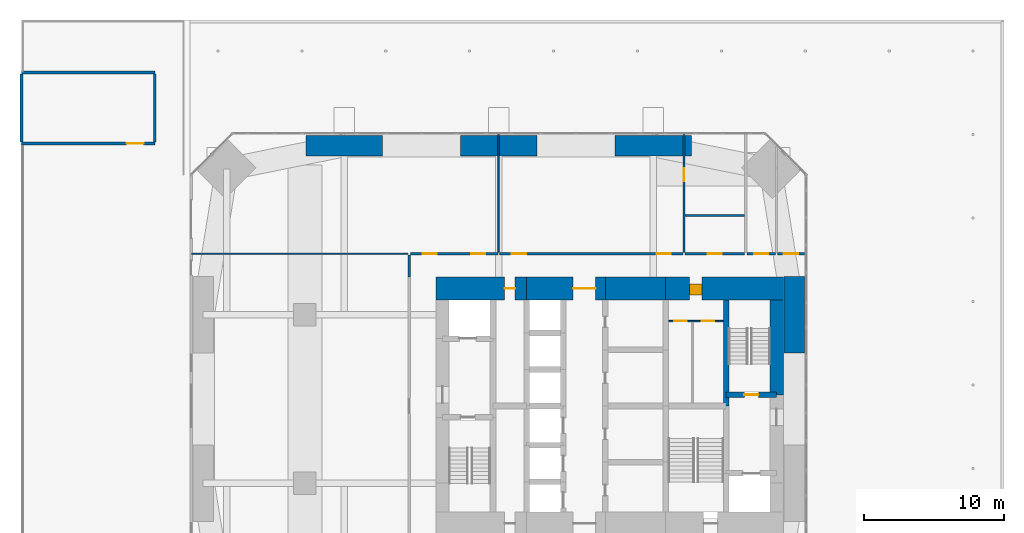
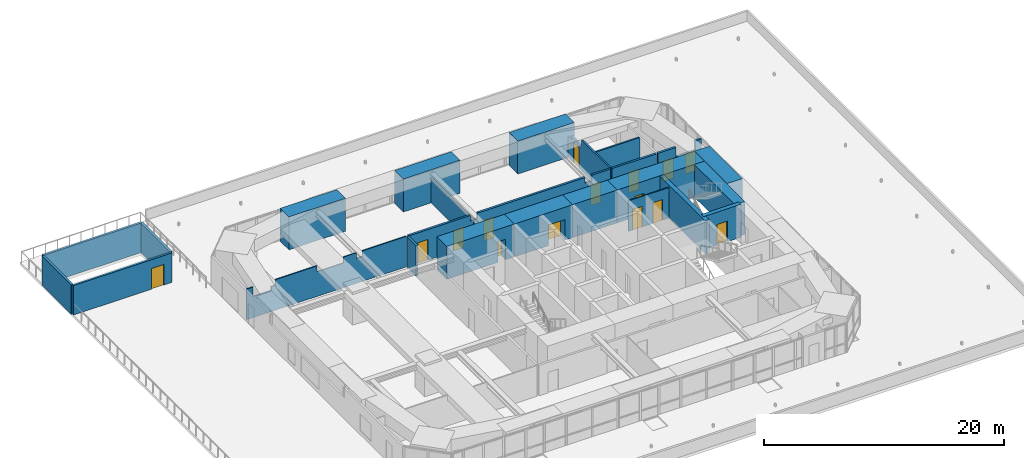
# One storey, part 15 of 20: 26 walls, 15 doors, 15 openings.
"""IFC4 building model written with IfcOpenShell, lengths in metres."""

import ifcopenshell
import ifcopenshell.guid

model = None  # the IFC model being written
_history = None  # IfcOwnerHistory: only IFC2X3 demands one
_inside = {}  # id of a spatial element -> (the spatial element, [elements in it])
_under = {}  # id of a project, library or spatial element -> (it, [spatial elements below it])
_declared = {}  # id of a project -> (the project, [libraries it declares])
_typed = {}  # id of a type object -> (the type object, [elements of that type])
_made_of = {}  # id of a material, layer set ... -> (it, [elements and type objects made of it])


def new_model(schema):
    """Start an empty IFC model of exactly this schema.

    Asked for "IFC4X3", IfcOpenShell would pick the latest addendum, in which some entities
    have other attributes; the version numbers below select the first issue.
    IFC2X3 requires an IfcOwnerHistory on every rooted entity: one is made here for all.
    """
    global model, _history
    if schema == "IFC4X3":
        model = ifcopenshell.file(schema_version=(4, 3, 0, 0))
    else:
        model = ifcopenshell.file(schema=schema)
    _inside.clear()
    _under.clear()
    _declared.clear()
    _typed.clear()
    _made_of.clear()
    _history = None
    if model.schema == "IFC2X3":
        org = make("IfcOrganization", Name="unknown")
        user = make(
            "IfcPersonAndOrganization",
            ThePerson=make("IfcPerson", FamilyName="unknown"),
            TheOrganization=org,
        )
        app = make(
            "IfcApplication",
            ApplicationDeveloper=org,
            Version="unknown",
            ApplicationFullName="unknown",
            ApplicationIdentifier="unknown",
        )
        _history = make(
            "IfcOwnerHistory",
            OwningUser=user,
            OwningApplication=app,
            ChangeAction="ADDED",
            CreationDate=0,
        )
    return model


def make(cls, **values):
    """One entity of the class cls with the attributes given. An attribute that is None is left unset."""
    return model.create_entity(
        cls, **{name: value for name, value in values.items() if value is not None}
    )


def rooted(cls, **values):
    """An entity with a GlobalId (a new one), such as an element, a storey or a relation."""
    return make(cls, GlobalId=ifcopenshell.guid.new(), OwnerHistory=_history, **values)


def si_unit(unit_type, name, prefix=None):
    """IfcSIUnit, for example si_unit("LENGTHUNIT", "METRE", prefix="MILLI")."""
    return make("IfcSIUnit", UnitType=unit_type, Prefix=prefix, Name=name)


def assignment(units):
    """IfcUnitAssignment: the units of a project."""
    return None if units is None else make("IfcUnitAssignment", Units=units)


def point(xyz):
    """IfcCartesianPoint."""
    return None if xyz is None else make("IfcCartesianPoint", Coordinates=xyz)


def direction(xyz):
    """IfcDirection."""
    return None if xyz is None else make("IfcDirection", DirectionRatios=xyz)


def frame(location, z_axis=None, x_axis=None):
    """IfcAxis2Placement3D, a coordinate frame: its origin and axes. An axis left out is left unset."""
    return make(
        "IfcAxis2Placement3D",
        Location=point(location),
        Axis=direction(z_axis),
        RefDirection=direction(x_axis),
    )


def frame_2d(location, x_axis=None):
    """IfcAxis2Placement2D, a coordinate frame in the plane: its origin and x axis."""
    return make(
        "IfcAxis2Placement2D", Location=point(location), RefDirection=direction(x_axis)
    )


def origin():
    """The frame at (0, 0, 0) with its axes left unset."""
    return frame((0.0, 0.0, 0.0))


def place(relative_to, where):
    """IfcLocalPlacement: puts the frame where relative to a parent placement (None: the world)."""
    return make(
        "IfcLocalPlacement", PlacementRelTo=relative_to, RelativePlacement=where
    )


def context(
    kind, dimensions, precision=None, world=None, true_north=None, identifier=None
):
    """IfcGeometricRepresentationContext, for example the 3D "Model" context."""
    return make(
        "IfcGeometricRepresentationContext",
        ContextIdentifier=identifier,
        ContextType=kind,
        CoordinateSpaceDimension=dimensions,
        Precision=precision,
        WorldCoordinateSystem=world,
        TrueNorth=true_north,
    )


def subcontext(parent, identifier, kind, view, scale=None):
    """IfcGeometricRepresentationSubContext, for example "Body" below "Model"."""
    return make(
        "IfcGeometricRepresentationSubContext",
        ContextIdentifier=identifier,
        ContextType=kind,
        ParentContext=parent,
        TargetScale=scale,
        TargetView=view,
    )


def project(units=None, contexts=None):
    """IfcProject with its units and contexts."""
    return rooted(
        "IfcProject",
        Name="project",
        RepresentationContexts=contexts,
        UnitsInContext=assignment(units),
    )


def spatial(cls, under=None, at=None, **own):
    """A site, building, storey or space (cls), placed at a placement, below another one or the project."""
    s = rooted(cls, ObjectPlacement=at, **own)
    if under is not None:
        _under.setdefault(under.id(), (under, []))[1].append(s)
    return s


def polyline(points):
    """IfcPolyline through the points."""
    return make("IfcPolyline", Points=[point(p) for p in points])


def profile(cls, at=None, kind="AREA", **sizes):
    """A parametric profile (cls). Its sizes go by their IFC names, for example OverallWidth=200.0."""
    return make(cls, ProfileType=kind, Position=at, **sizes)


def rectangle(**sizes):
    """IfcRectangleProfileDef."""
    return profile("IfcRectangleProfileDef", **sizes)


def outline(outer, holes=None, kind="AREA"):
    """IfcArbitraryClosedProfileDef: a profile drawn as a closed curve; with holes, ...WithVoids."""
    if holes is None:
        return make("IfcArbitraryClosedProfileDef", ProfileType=kind, OuterCurve=outer)
    return make(
        "IfcArbitraryProfileDefWithVoids",
        ProfileType=kind,
        OuterCurve=outer,
        InnerCurves=holes,
    )


def extrude(swept, where, along, depth):
    """IfcExtrudedAreaSolid: the profile swept, set in the frame where, extruded along a direction by depth."""
    return make(
        "IfcExtrudedAreaSolid",
        SweptArea=swept,
        Position=where,
        ExtrudedDirection=direction(along),
        Depth=depth,
    )


def shape(context_of_items, identifier, shape_type, items):
    """IfcShapeRepresentation: the items that make up one representation, for example the "Body"."""
    return make(
        "IfcShapeRepresentation",
        ContextOfItems=context_of_items,
        RepresentationIdentifier=identifier,
        RepresentationType=shape_type,
        Items=items,
    )


def material(Name=None, Category=None):
    """IfcMaterial."""
    return make("IfcMaterial", Name=Name, Category=Category)


def layer(
    of_material, thickness, ventilated=None, Name=None, Category=None, Priority=None
):
    """IfcMaterialLayer: one layer of a wall or slab, of a material (None: an air gap)."""
    return make(
        "IfcMaterialLayer",
        Material=of_material,
        LayerThickness=thickness,
        IsVentilated=ventilated,
        Name=Name,
        Category=Category,
        Priority=Priority,
    )


def layer_set(layers, Name=None):
    """IfcMaterialLayerSet."""
    return make("IfcMaterialLayerSet", MaterialLayers=layers, LayerSetName=Name)


def constituent(of_material, Name=None, Category=None, fraction=None):
    """IfcMaterialConstituent: one of the materials an element consists of."""
    return make(
        "IfcMaterialConstituent",
        Name=Name,
        Material=of_material,
        Fraction=fraction,
        Category=Category,
    )


def constituent_set(constituents=None, Name=None):
    """IfcMaterialConstituentSet."""
    return make(
        "IfcMaterialConstituentSet", Name=Name, MaterialConstituents=constituents
    )


def made_of(thing, what):
    """Note that an element or type object is made of a material, layer set ...; save() writes the relation."""
    if what is not None:
        _made_of.setdefault(what.id(), (what, []))[1].append(thing)
    return thing


def type_object(cls, material=None, **own):
    """A type object (cls), such as IfcWallType, which elements share."""
    return made_of(rooted(cls, **own), material)


def element(
    cls,
    number,
    at=None,
    inside=None,
    cuts=None,
    type_object=None,
    material=None,
    context=None,
    identifier="Body",
    shape_type=None,
    held_by="IfcProductDefinitionShape",
    body=None,
    shapes=None,
    **own,
):
    """One element of the class cls, such as IfcWall. Its Tag is "e" and its number.

    at: its placement. inside: the storey or other place that contains it. cuts: it is an
    opening in that element (IfcRelVoidsElement). A single representation is given by context,
    identifier, shape_type and body (its items); several are given by shapes. held_by: the class
    of the entity that holds the representations. save() writes the other relations.
    """
    e = rooted(cls, Tag="e%d" % number, ObjectPlacement=at, **own)
    if body is not None:
        shapes = [shape(context, identifier, shape_type, body)]
    if shapes is not None:
        e.Representation = make(held_by, Representations=shapes)
    if inside is not None:
        _inside.setdefault(inside.id(), (inside, []))[1].append(e)
    if cuts is not None:
        rooted(
            "IfcRelVoidsElement", RelatingBuildingElement=cuts, RelatedOpeningElement=e
        )
    if type_object is not None:
        _typed.setdefault(type_object.id(), (type_object, []))[1].append(e)
    return made_of(e, material)


def fill(opening, filler):
    """IfcRelFillsElement: the door or window that sits in an opening."""
    return rooted(
        "IfcRelFillsElement",
        RelatingOpeningElement=opening,
        RelatedBuildingElement=filler,
    )


def aggregate(whole, parts):
    """IfcRelAggregates: a whole, such as a stair, and the parts it consists of."""
    return rooted("IfcRelAggregates", RelatingObject=whole, RelatedObjects=parts)


def save(model, path):
    """Write the relations noted so far, then the file.

    IfcRelAggregates (storeys below a building ...), IfcRelContainedInSpatialStructure (elements
    in a storey), IfcRelDefinesByType, IfcRelAssociatesMaterial and IfcRelDeclares: one each for
    every whole, place, type object, material and project.
    """
    for whole, parts in _under.values():
        aggregate(whole, parts)
    for where, things in _inside.values():
        rooted(
            "IfcRelContainedInSpatialStructure",
            RelatedElements=things,
            RelatingStructure=where,
        )
    for kind, things in _typed.values():
        rooted("IfcRelDefinesByType", RelatedObjects=things, RelatingType=kind)
    for what, things in _made_of.values():
        rooted("IfcRelAssociatesMaterial", RelatedObjects=things, RelatingMaterial=what)
    for by, libraries in _declared.values():
        rooted("IfcRelDeclares", RelatingContext=by, RelatedDefinitions=libraries)
    model.write(path)


model = new_model("IFC4")

# Units and contexts
model_context = context("Model", 3, precision=1e-05, world=origin(), true_north=direction((0.0, 1.0)))
body_context = subcontext(model_context, "Body", "Model", "MODEL_VIEW")
ifc_project = project(units=[si_unit("LENGTHUNIT", "METRE"), si_unit("AREAUNIT", "SQUARE_METRE"), si_unit("VOLUMEUNIT", "CUBIC_METRE"), si_unit("PLANEANGLEUNIT", "RADIAN"), si_unit("MASSUNIT", "GRAM", prefix="KILO")], contexts=[model_context])

# Site, building, storey
site_placement = place(None, origin())
site = spatial("IfcSite", under=ifc_project, at=site_placement, CompositionType="ELEMENT")
building_placement = place(site_placement, origin())
building = spatial("IfcBuilding", under=site, at=building_placement, Name="Jalousie Tower", CompositionType="ELEMENT")
storey_placement = place(building_placement, frame((0.0, 0.0, 21.0)))
storey = spatial("IfcBuildingStorey", under=building, at=storey_placement, Name="L04", CompositionType="ELEMENT", Elevation=21.0)

# Wall, opening, door
ifc_material_1 = material(Name="Concrete block ASTM C90", Category="concrete")
ifc_constituent_1 = constituent(ifc_material_1, Name="Body")
ifc_material_2 = material(Name="Render")
ifc_constituent_2 = constituent(ifc_material_2, Name="Finish")
ifc_constituent_set_1 = constituent_set(constituents=[ifc_constituent_1, ifc_constituent_2])
wall_type_1 = type_object("IfcWallType", Name="BATHROOM WALL 150", PredefinedType="PLUMBINGWALL", material=ifc_constituent_set_1)
wall_1_placement = place(storey_placement, frame((37.199951171875, 29.449951171875, 0.0), z_axis=(0.0, 0.0, 1.0), x_axis=(0.0, 1.0, 0.0)))
wall_1 = element("IfcWall", 1, at=wall_1_placement, inside=storey, type_object=wall_type_1, Name="Bathroom Wall 150 L04", PredefinedType="PLUMBINGWALL", context=body_context, shape_type="SweptSolid", body=[
    extrude(outline(polyline([(0.0, 0.0), (8.400146484375, 0.0), (8.39990234375, 3.110107421875), (8.060791015625, 3.110107421875), (8.060791015625, 2.14990234375), (6.326904296875, 2.14990234375), (6.326904296875, 2.510009765625), (4.633544921875, 2.510009765625), (4.633544921875, 3.110107421875), (0.0, 3.110107421875), (0.0, 0.0)])), frame((0.0, 0.074951171875, 0.0), z_axis=(0.0, -1.0, 0.0), x_axis=(1.0, 0.0, 0.0)), (0.0, 0.0, 1.0), 0.14990234375),
])
opening_1_placement = place(wall_1_placement, frame((5.074951171875, 0.0, 0.0)))
opening_1 = element("IfcOpeningElement", 2, at=opening_1_placement, cuts=wall_1, Name="Opening D7", PredefinedType="OPENING", context=body_context, shape_type="SweptSolid", body=[
    extrude(rectangle(XDim=0.89990234375, YDim=2.10009765625, at=frame_2d((0.449951171875, 1.050048828125))), frame((0.0, 0.0849609375, 0.0), z_axis=(0.0, -1.0, 0.0), x_axis=(1.0, 0.0, 0.0)), (0.0, 0.0, 1.0), 0.169921875),
])
ifc_material_3 = material(Name="Timber door", Category="wood")
door_type_1 = type_object("IfcDoorType", Name="INTERNAL DOOR 900", OperationType="SINGLE_SWING_LEFT", PredefinedType="DOOR", material=ifc_material_3)
door_1_placement = place(opening_1_placement, frame((0.89990234375, 0.0, 0.0), z_axis=(0.0, 0.0, 1.0), x_axis=(-1.0, 0.0, 0.0)))
door_1 = element("IfcDoor", 3, at=door_1_placement, inside=storey, type_object=door_type_1, Name="Party room furniture store door", OperationType="SINGLE_SWING_LEFT", OverallHeight=2.10009765625, OverallWidth=0.89990234375, PredefinedType="DOOR", context=body_context, shape_type="SweptSolid", body=[
    extrude(rectangle(XDim=0.89990234375, YDim=2.10009765625, at=frame_2d((0.449951171875, 1.050048828125))), frame((0.0, 0.02490234375, 0.0), z_axis=(0.0, -1.0, 0.0), x_axis=(1.0, 0.0, 0.0)), (0.0, 0.0, 1.0), 0.050048828125),
])
fill(opening_1, door_1)

# Wall
wall_2_placement = place(storey_placement, frame((37.27490234375, 32.074951171875, 0.0), z_axis=(0.0, 0.0, 1.0), x_axis=(1.0, 0.0, 0.0)))
element("IfcWall", 4, at=wall_2_placement, inside=storey, type_object=wall_type_1, Name="Bathroom Wall 150 L04", PredefinedType="PLUMBINGWALL", context=body_context, shape_type="SweptSolid", body=[
    extrude(rectangle(XDim=4.25, YDim=0.14990234375, at=frame_2d((2.125, 0.0))), origin(), (0.0, 0.0, 1.0), 3.110107421875),
])

# Wall, opening, door
ifc_material_4 = material(Name="Concrete f'c 120 MPa", Category="concrete")
ifc_layer_1 = layer(ifc_material_4, 1.64990234375)
ifc_layer_set_1 = layer_set([ifc_layer_1], Name="Concrete f'c 120 MPa")
wall_type_2 = type_object("IfcWallType", Name="CORE WALL 1650", PredefinedType="SHEAR", material=ifc_layer_set_1)
wall_3_placement = place(storey_placement, frame((44.27490234375, 26.875, 0.0), z_axis=(0.0, 0.0, 1.0), x_axis=(-1.0, 0.0, 0.0)))
wall_3 = element("IfcWall", 5, at=wall_3_placement, inside=storey, type_object=wall_type_2, Name="Core wall NA L04", PredefinedType="SHEAR", context=body_context, shape_type="SweptSolid", body=[
    extrude(rectangle(XDim=8.375, YDim=1.64990234375, at=frame_2d((4.1875, 0.0))), origin(), (0.0, 0.0, 1.0), 3.35009765625),
])
opening_2_placement = place(wall_3_placement, frame((5.77490234375, 0.0, 0.0)))
opening_2 = element("IfcOpeningElement", 6, at=opening_2_placement, cuts=wall_3, Name="Opening D25", PredefinedType="OPENING", context=body_context, shape_type="SweptSolid", body=[
    extrude(rectangle(XDim=0.89990234375, YDim=2.10009765625, at=frame_2d((0.449951171875, 1.050048828125))), frame((0.0, 0.8349609375, 0.0), z_axis=(0.0, -1.0, 0.0), x_axis=(1.0, 0.0, 0.0)), (0.0, 0.0, 1.0), 1.669921875),
])
ifc_material_5 = material(Name="Steel fire door", Category="steel")
door_type_2 = type_object("IfcDoorType", Name="SERVICE LOBBY DOOR 900", OperationType="SINGLE_SWING_LEFT", PredefinedType="DOOR", material=ifc_material_5)
door_2_placement = place(opening_2_placement, origin())
door_2 = element("IfcDoor", 7, at=door_2_placement, inside=storey, type_object=door_type_2, Name="Service lobby door", OperationType="SINGLE_SWING_RIGHT", OverallHeight=2.10009765625, OverallWidth=0.89990234375, PredefinedType="DOOR", context=body_context, shape_type="SweptSolid", body=[
    extrude(rectangle(XDim=0.89990234375, YDim=2.10009765625, at=frame_2d((0.449951171875, 1.050048828125))), frame((0.0, 0.47021484375, 0.0), z_axis=(0.0, -1.0, 0.0), x_axis=(1.0, 0.0, 0.0)), (0.0, 0.0, 1.0), 0.800048828125),
])
fill(opening_2, door_2)

# Wall
wall_4_placement = place(storey_placement, frame((35.89990234375, 26.875, 0.0), z_axis=(0.0, 0.0, 1.0), x_axis=(-1.0, 0.0, 0.0)))
element("IfcWall", 8, at=wall_4_placement, inside=storey, type_object=wall_type_2, Name="Core wall NB L04", PredefinedType="SHEAR", context=body_context, shape_type="SweptSolid", body=[
    extrude(rectangle(XDim=4.2998046875, YDim=1.64990234375, at=frame_2d((2.14990234375, 0.0))), origin(), (0.0, 0.0, 1.0), 3.35009765625),
])

# Wall, opening, door
wall_5_placement = place(storey_placement, frame((31.60009765625, 26.875, 0.0), z_axis=(0.0, 0.0, 1.0), x_axis=(-1.0, 0.0, 0.0)))
wall_5 = element("IfcWall", 9, at=wall_5_placement, inside=storey, type_object=wall_type_2, Name="Core wall NC L04", PredefinedType="SHEAR", context=body_context, shape_type="SweptSolid", body=[
    extrude(rectangle(XDim=5.60009765625, YDim=1.64990234375, at=frame_2d((2.800048828125, 0.0))), origin(), (0.0, 0.0, 1.0), 3.35009765625),
])
opening_3_placement = place(wall_5_placement, frame((0.699951171875, 0.0, 0.0)))
opening_3 = element("IfcOpeningElement", 10, at=opening_3_placement, cuts=wall_5, Name="Opening D15", PredefinedType="OPENING", context=body_context, shape_type="SweptSolid", body=[
    extrude(rectangle(XDim=1.60009765625, YDim=2.10009765625, at=frame_2d((0.800048828125, 1.050048828125))), frame((0.0, 0.8349609375, 0.0), z_axis=(0.0, -1.0, 0.0), x_axis=(1.0, 0.0, 0.0)), (0.0, 0.0, 1.0), 1.669921875),
])
ifc_material_6 = material(Name="Steel fire door", Category="steel")
door_type_3 = type_object("IfcDoorType", Name="LIFT LOBBY DOOR 1600", OperationType="DOUBLE_DOOR_SINGLE_SWING", PredefinedType="DOOR", material=ifc_material_6)
door_3_placement = place(opening_3_placement, origin())
door_3 = element("IfcDoor", 11, at=door_3_placement, inside=storey, type_object=door_type_3, Name="Lift lobby north door", OperationType="DOUBLE_DOOR_SINGLE_SWING", OverallHeight=2.10009765625, OverallWidth=1.60009765625, PredefinedType="DOOR", context=body_context, shape_type="SweptSolid", body=[
    extrude(rectangle(XDim=1.60009765625, YDim=2.10009765625, at=frame_2d((0.800048828125, 1.050048828125))), frame((0.0, 0.02490234375, 0.0), z_axis=(0.0, -1.0, 0.0), x_axis=(1.0, 0.0, 0.0)), (0.0, 0.0, 1.0), 0.050048828125),
])
fill(opening_3, door_3)

wall_6_placement = place(storey_placement, frame((26.0, 26.875, 0.0), z_axis=(0.0, 0.0, 1.0), x_axis=(-1.0, 0.0, 0.0)))
wall_6 = element("IfcWall", 12, at=wall_6_placement, inside=storey, type_object=wall_type_2, Name="Core wall ND L04", PredefinedType="SHEAR", context=body_context, shape_type="SweptSolid", body=[
    extrude(rectangle(XDim=6.47509765625, YDim=1.64990234375, at=frame_2d((3.237548828125, 0.0))), origin(), (0.0, 0.0, 1.0), 3.35009765625),
])
opening_4_placement = place(wall_6_placement, frame((0.824951171875, 0.0, 0.0)))
opening_4 = element("IfcOpeningElement", 13, at=opening_4_placement, cuts=wall_6, Name="Opening D16", PredefinedType="OPENING", context=body_context, shape_type="SweptSolid", body=[
    extrude(rectangle(XDim=0.75, YDim=2.10009765625, at=frame_2d((0.375, 1.050048828125))), frame((0.0, 0.8349609375, 0.0), z_axis=(0.0, -1.0, 0.0), x_axis=(1.0, 0.0, 0.0)), (0.0, 0.0, 1.0), 1.669921875),
])
ifc_material_7 = material(Name="Steel fire door", Category="steel")
door_type_4 = type_object("IfcDoorType", Name="RISER DOOR 750", OperationType="SINGLE_SWING_LEFT", PredefinedType="DOOR", material=ifc_material_7)
door_4_placement = place(opening_4_placement, origin())
door_4 = element("IfcDoor", 14, at=door_4_placement, inside=storey, type_object=door_type_4, Name="North riser door", OperationType="SINGLE_SWING_RIGHT", OverallHeight=2.10009765625, OverallWidth=0.75, PredefinedType="DOOR", context=body_context, shape_type="SweptSolid", body=[
    extrude(rectangle(XDim=0.75, YDim=2.10009765625, at=frame_2d((0.375, 1.050048828125))), frame((0.0, 0.02490234375, 0.0), z_axis=(0.0, -1.0, 0.0), x_axis=(1.0, 0.0, 0.0)), (0.0, 0.0, 1.0), 0.050048828125),
])
fill(opening_4, door_4)

# Wall
ifc_material_8 = material(Name="Concrete f'c 120 MPa", Category="concrete")
ifc_layer_2 = layer(ifc_material_8, 0.39990234375)
ifc_layer_set_2 = layer_set([ifc_layer_2], Name="Concrete f'c 120 MPa")
wall_type_3 = type_object("IfcWallType", Name="CORE WALL 400", PredefinedType="SHEAR", material=ifc_layer_set_2)
wall_7_placement = place(storey_placement, frame((40.199951171875, 18.5, 0.0), z_axis=(0.0, 0.0, 1.0), x_axis=(0.0, 1.0, 0.0)))
element("IfcWall", 15, at=wall_7_placement, inside=storey, type_object=wall_type_3, Name="Core wall X40.2C L04", PredefinedType="SHEAR", context=body_context, shape_type="SweptSolid", body=[
    extrude(rectangle(XDim=7.550048828125, YDim=0.39990234375, at=frame_2d((3.77490234375, 0.0))), origin(), (0.0, 0.0, 1.0), 3.35009765625),
])

# Wall, opening, door
wall_8_placement = place(storey_placement, frame((40.199951171875, 19.300048828125, 0.0), z_axis=(0.0, 0.0, 1.0), x_axis=(1.0, 0.0, 0.0)))
wall_8 = element("IfcWall", 16, at=wall_8_placement, inside=storey, type_object=wall_type_3, Name="Core wall Y40.2-19.3 L04", PredefinedType="SHEAR", context=body_context, shape_type="SweptSolid", body=[
    extrude(rectangle(XDim=3.60009765625, YDim=0.39990234375, at=frame_2d((1.800048828125, 0.0))), origin(), (0.0, 0.0, 1.0), 3.35009765625),
])
opening_5_placement = place(wall_8_placement, frame((1.300048828125, 0.0, 0.0)))
opening_5 = element("IfcOpeningElement", 17, at=opening_5_placement, cuts=wall_8, Name="Opening D10", PredefinedType="OPENING", context=body_context, shape_type="SweptSolid", body=[
    extrude(rectangle(XDim=1.0, YDim=2.10009765625, at=frame_2d((0.5, 1.050048828125))), frame((0.0, 0.2099609375, 0.0), z_axis=(0.0, -1.0, 0.0), x_axis=(1.0, 0.0, 0.0)), (0.0, 0.0, 1.0), 0.419921875),
])
ifc_material_9 = material(Name="Steel fire door", Category="steel")
door_type_5 = type_object("IfcDoorType", Name="STAIR DOOR 1000", OperationType="SINGLE_SWING_LEFT", PredefinedType="DOOR", material=ifc_material_9)
door_5_placement = place(opening_5_placement, origin())
door_5 = element("IfcDoor", 18, at=door_5_placement, inside=storey, type_object=door_type_5, Name="Exit stair B door", OperationType="SINGLE_SWING_RIGHT", OverallHeight=2.10009765625, OverallWidth=1.0, PredefinedType="DOOR", context=body_context, shape_type="SweptSolid", body=[
    extrude(rectangle(XDim=1.0, YDim=2.10009765625, at=frame_2d((0.5, 1.050048828125))), frame((0.0, 0.02490234375, 0.0), z_axis=(0.0, -1.0, 0.0), x_axis=(1.0, 0.0, 0.0)), (0.0, 0.0, 1.0), 0.050048828125),
])
fill(opening_5, door_5)

# Wall
ifc_material_10 = material(Name="Concrete f'c 120 MPa", Category="concrete")
ifc_layer_3 = layer(ifc_material_10, 0.949951171875)
ifc_layer_set_3 = layer_set([ifc_layer_3], Name="Concrete f'c 120 MPa")
wall_type_4 = type_object("IfcWallType", Name="CORE WALL 950", PredefinedType="SHEAR", material=ifc_layer_set_3)
wall_9_placement = place(storey_placement, frame((43.800048828125, 19.300048828125, 0.0), z_axis=(0.0, 0.0, 1.0), x_axis=(0.0, 1.0, 0.0)))
element("IfcWall", 19, at=wall_9_placement, inside=storey, type_object=wall_type_4, Name="Core wall EC L04", PredefinedType="SHEAR", context=body_context, shape_type="SweptSolid", body=[
    extrude(rectangle(XDim=6.75, YDim=0.949951171875, at=frame_2d((3.375, 0.0))), origin(), (0.0, 0.0, 1.0), 3.35009765625),
])

# Wall, openings, doors
ifc_material_11 = material(Name="Concrete block ASTM C90", Category="concrete")
ifc_constituent_3 = constituent(ifc_material_11, Name="Body")
ifc_material_12 = material(Name="Render")
ifc_constituent_4 = constituent(ifc_material_12, Name="Finish")
ifc_constituent_set_2 = constituent_set(constituents=[ifc_constituent_3, ifc_constituent_4])
wall_type_5 = type_object("IfcWallType", Name="CORRIDOR WALL 200", PredefinedType="PARTITIONING", material=ifc_constituent_set_2)
wall_10_placement = place(storey_placement, frame((17.72509765625, 29.35009765625, 0.0), z_axis=(0.0, 0.0, 1.0), x_axis=(1.0, 0.0, 0.0)))
wall_10 = element("IfcWall", 20, at=wall_10_placement, inside=storey, type_object=wall_type_5, Name="Corridor Wall 200 L04", PredefinedType="PARTITIONING", context=body_context, shape_type="SweptSolid", body=[
    extrude(outline(polyline([(0.0, 0.0), (6.224853515625, 0.0), (6.22509765625, 3.110107421875), (6.22509765625, 2.541015625), (5.9375, 2.541015625), (5.9375, 3.110107421875), (0.0, 3.110107421875), (0.0, 0.0)])), frame((0.0, 0.10009765625, 0.0), z_axis=(0.0, -1.0, 0.0), x_axis=(1.0, 0.0, 0.0)), (0.0, 0.0, 1.0), 0.199951171875),
])
opening_6_placement = place(wall_10_placement, frame((0.85009765625, 0.0, 0.0)))
opening_6 = element("IfcOpeningElement", 21, at=opening_6_placement, cuts=wall_10, Name="Opening D21", PredefinedType="OPENING", context=body_context, shape_type="SweptSolid", body=[
    extrude(rectangle(XDim=1.0, YDim=2.10009765625, at=frame_2d((0.5, 1.050048828125))), frame((0.0, 0.10986328125, 0.0), z_axis=(0.0, -1.0, 0.0), x_axis=(1.0, 0.0, 0.0)), (0.0, 0.0, 1.0), 0.219970703125),
])
opening_7_placement = place(wall_10_placement, frame((4.324951171875, 0.0, 0.0)))
opening_7 = element("IfcOpeningElement", 22, at=opening_7_placement, cuts=wall_10, Name="Opening D21", PredefinedType="OPENING", context=body_context, shape_type="SweptSolid", body=[
    extrude(rectangle(XDim=1.0, YDim=2.10009765625, at=frame_2d((0.5, 1.050048828125))), frame((0.0, 0.10986328125, 0.0), z_axis=(0.0, -1.0, 0.0), x_axis=(1.0, 0.0, 0.0)), (0.0, 0.0, 1.0), 0.219970703125),
])
ifc_material_13 = material(Name="Timber fire door", Category="wood")
door_type_6 = type_object("IfcDoorType", Name="CORRIDOR DOOR 1000", OperationType="SINGLE_SWING_LEFT", PredefinedType="DOOR", material=ifc_material_13)
door_6_placement = place(opening_6_placement, origin())
door_6 = element("IfcDoor", 23, at=door_6_placement, inside=storey, type_object=door_type_6, Name="Pool lounge door", OperationType="SINGLE_SWING_LEFT", OverallHeight=2.10009765625, OverallWidth=1.0, PredefinedType="DOOR", context=body_context, shape_type="SweptSolid", body=[
    extrude(rectangle(XDim=1.0, YDim=2.10009765625, at=frame_2d((0.5, 1.050048828125))), frame((0.0, 0.02490234375, 0.0), z_axis=(0.0, -1.0, 0.0), x_axis=(1.0, 0.0, 0.0)), (0.0, 0.0, 1.0), 0.050048828125),
])
fill(opening_6, door_6)
door_7_placement = place(opening_7_placement, origin())
door_7 = element("IfcDoor", 24, at=door_7_placement, inside=storey, type_object=door_type_6, Name="Pool lounge second door", OperationType="SINGLE_SWING_RIGHT", OverallHeight=2.10009765625, OverallWidth=1.0, PredefinedType="DOOR", context=body_context, shape_type="SweptSolid", body=[
    extrude(rectangle(XDim=1.0, YDim=2.10009765625, at=frame_2d((0.5, 1.050048828125))), frame((0.0, 0.02490234375, 0.0), z_axis=(0.0, -1.0, 0.0), x_axis=(1.0, 0.0, 0.0)), (0.0, 0.0, 1.0), 0.050048828125),
])
fill(opening_7, door_7)

wall_11_placement = place(storey_placement, frame((24.050048828125, 29.35009765625, 0.0), z_axis=(0.0, 0.0, 1.0), x_axis=(1.0, 0.0, 0.0)))
wall_11 = element("IfcWall", 25, at=wall_11_placement, inside=storey, type_object=wall_type_5, Name="Corridor Wall 200 L04", PredefinedType="PARTITIONING", context=body_context, shape_type="SweptSolid", body=[
    extrude(outline(polyline([(0.0, 0.0), (13.074951171875, 0.0), (13.074951171875, 3.110107421875), (11.287353515625, 3.110107421875), (11.287353515625, 2.541015625), (10.612548828125, 2.541015625), (10.612548828125, 3.110107421875), (0.287353515625, 3.110107421875), (0.287353515625, 2.541015625), (0.0, 2.541015625), (0.0, 3.110107421875), (0.0, 0.0)])), frame((0.0, 0.10009765625, 0.0), z_axis=(0.0, -1.0, 0.0), x_axis=(1.0, 0.0, 0.0)), (0.0, 0.0, 1.0), 0.199951171875),
])
opening_8_placement = place(wall_11_placement, frame((0.89990234375, 0.0, 0.0)))
opening_8 = element("IfcOpeningElement", 26, at=opening_8_placement, cuts=wall_11, Name="Opening D21", PredefinedType="OPENING", context=body_context, shape_type="SweptSolid", body=[
    extrude(rectangle(XDim=1.0, YDim=2.10009765625, at=frame_2d((0.5, 1.050048828125))), frame((0.0, 0.10986328125, 0.0), z_axis=(0.0, -1.0, 0.0), x_axis=(1.0, 0.0, 0.0)), (0.0, 0.0, 1.0), 0.219970703125),
])
opening_9_placement = place(wall_11_placement, frame((11.199951171875, 0.0, 0.0)))
opening_9 = element("IfcOpeningElement", 27, at=opening_9_placement, cuts=wall_11, Name="Opening D21", PredefinedType="OPENING", context=body_context, shape_type="SweptSolid", body=[
    extrude(rectangle(XDim=1.0, YDim=2.10009765625, at=frame_2d((0.5, 1.050048828125))), frame((0.0, 0.10986328125, 0.0), z_axis=(0.0, -1.0, 0.0), x_axis=(1.0, 0.0, 0.0)), (0.0, 0.0, 1.0), 0.219970703125),
])
door_8_placement = place(opening_8_placement, origin())
door_8 = element("IfcDoor", 28, at=door_8_placement, inside=storey, type_object=door_type_6, Name="Party room door", OperationType="SINGLE_SWING_LEFT", OverallHeight=2.10009765625, OverallWidth=1.0, PredefinedType="DOOR", context=body_context, shape_type="SweptSolid", body=[
    extrude(rectangle(XDim=1.0, YDim=2.10009765625, at=frame_2d((0.5, 1.050048828125))), frame((0.0, 0.02490234375, 0.0), z_axis=(0.0, -1.0, 0.0), x_axis=(1.0, 0.0, 0.0)), (0.0, 0.0, 1.0), 0.050048828125),
])
fill(opening_8, door_8)
door_9_placement = place(opening_9_placement, origin())
door_9 = element("IfcDoor", 29, at=door_9_placement, inside=storey, type_object=door_type_6, Name="Party room second door", OperationType="SINGLE_SWING_RIGHT", OverallHeight=2.10009765625, OverallWidth=1.0, PredefinedType="DOOR", context=body_context, shape_type="SweptSolid", body=[
    extrude(rectangle(XDim=1.0, YDim=2.10009765625, at=frame_2d((0.5, 1.050048828125))), frame((0.0, 0.02490234375, 0.0), z_axis=(0.0, -1.0, 0.0), x_axis=(1.0, 0.0, 0.0)), (0.0, 0.0, 1.0), 0.050048828125),
])
fill(opening_9, door_9)

# Wall, opening, door
wall_12_placement = place(storey_placement, frame((37.27490234375, 29.35009765625, 0.0), z_axis=(0.0, 0.0, 1.0), x_axis=(1.0, 0.0, 0.0)))
wall_12 = element("IfcWall", 30, at=wall_12_placement, inside=storey, type_object=wall_type_5, Name="Corridor Wall 200 L04", PredefinedType="PARTITIONING", context=body_context, shape_type="SweptSolid", body=[
    extrude(rectangle(XDim=4.25, YDim=0.199951171875, at=frame_2d((2.125, 0.0))), origin(), (0.0, 0.0, 1.0), 3.110107421875),
])
opening_10_placement = place(wall_12_placement, frame((1.625, 0.0, 0.0)))
opening_10 = element("IfcOpeningElement", 31, at=opening_10_placement, cuts=wall_12, Name="Opening D21", PredefinedType="OPENING", context=body_context, shape_type="SweptSolid", body=[
    extrude(rectangle(XDim=1.0, YDim=2.10009765625, at=frame_2d((0.5, 1.050048828125))), frame((0.0, 0.10986328125, 0.0), z_axis=(0.0, -1.0, 0.0), x_axis=(1.0, 0.0, 0.0)), (0.0, 0.0, 1.0), 0.219970703125),
])
door_10_placement = place(opening_10_placement, origin())
door_10 = element("IfcDoor", 32, at=door_10_placement, inside=storey, type_object=door_type_6, Name="Accessible WC door", OperationType="SINGLE_SWING_LEFT", OverallHeight=2.10009765625, OverallWidth=1.0, PredefinedType="DOOR", context=body_context, shape_type="SweptSolid", body=[
    extrude(rectangle(XDim=1.0, YDim=2.10009765625, at=frame_2d((0.5, 1.050048828125))), frame((0.0, 0.02490234375, 0.0), z_axis=(0.0, -1.0, 0.0), x_axis=(1.0, 0.0, 0.0)), (0.0, 0.0, 1.0), 0.050048828125),
])
fill(opening_10, door_10)

wall_13_placement = place(storey_placement, frame((41.675048828125, 29.35009765625, 0.0), z_axis=(0.0, 0.0, 1.0), x_axis=(1.0, 0.0, 0.0)))
wall_13 = element("IfcWall", 33, at=wall_13_placement, inside=storey, type_object=wall_type_5, Name="Corridor Wall 200 L04", PredefinedType="PARTITIONING", context=body_context, shape_type="SweptSolid", body=[
    extrude(outline(polyline([(0.0, 0.0), (2.050048828125, 0.0), (2.050048828125, 3.110107421875), (2.050048828125, 2.14990234375), (1.747802734375, 2.14990234375), (1.747802734375, 3.110107421875), (0.0, 3.110107421875), (0.0, 0.0)])), frame((0.0, 0.10009765625, 0.0), z_axis=(0.0, -1.0, 0.0), x_axis=(1.0, 0.0, 0.0)), (0.0, 0.0, 1.0), 0.199951171875),
])
opening_11_placement = place(wall_13_placement, frame((0.52490234375, 0.0, 0.0)))
opening_11 = element("IfcOpeningElement", 34, at=opening_11_placement, cuts=wall_13, Name="Opening D21", PredefinedType="OPENING", context=body_context, shape_type="SweptSolid", body=[
    extrude(rectangle(XDim=1.0, YDim=2.10009765625, at=frame_2d((0.5, 1.050048828125))), frame((0.0, 0.10986328125, 0.0), z_axis=(0.0, -1.0, 0.0), x_axis=(1.0, 0.0, 0.0)), (0.0, 0.0, 1.0), 0.219970703125),
])
door_11_placement = place(opening_11_placement, origin())
door_11 = element("IfcDoor", 35, at=door_11_placement, inside=storey, type_object=door_type_6, Name="Female WC door", OperationType="SINGLE_SWING_LEFT", OverallHeight=2.10009765625, OverallWidth=1.0, PredefinedType="DOOR", context=body_context, shape_type="SweptSolid", body=[
    extrude(rectangle(XDim=1.0, YDim=2.10009765625, at=frame_2d((0.5, 1.050048828125))), frame((0.0, 0.02490234375, 0.0), z_axis=(0.0, -1.0, 0.0), x_axis=(1.0, 0.0, 0.0)), (0.0, 0.0, 1.0), 0.050048828125),
])
fill(opening_11, door_11)

wall_14_placement = place(storey_placement, frame((43.875, 29.35009765625, 0.0), z_axis=(0.0, 0.0, 1.0), x_axis=(1.0, 0.0, 0.0)))
wall_14 = element("IfcWall", 36, at=wall_14_placement, inside=storey, type_object=wall_type_5, Name="Corridor Wall 200 L04", PredefinedType="PARTITIONING", context=body_context, shape_type="SweptSolid", body=[
    extrude(outline(polyline([(0.0, 0.0), (1.97509765625, 0.0), (1.97509765625, 3.110107421875), (1.3916015625, 3.110107421875), (1.3916015625, 2.14990234375), (0.0, 2.14990234375), (0.0, 3.110107421875), (0.0, 0.0)])), frame((0.0, 0.10009765625, 0.0), z_axis=(0.0, -1.0, 0.0), x_axis=(1.0, 0.0, 0.0)), (0.0, 0.0, 1.0), 0.199951171875),
])
opening_12_placement = place(wall_14_placement, frame((0.449951171875, 0.0, 0.0)))
opening_12 = element("IfcOpeningElement", 37, at=opening_12_placement, cuts=wall_14, Name="Opening D21", PredefinedType="OPENING", context=body_context, shape_type="SweptSolid", body=[
    extrude(rectangle(XDim=1.0, YDim=2.10009765625, at=frame_2d((0.5, 1.050048828125))), frame((0.0, 0.10986328125, 0.0), z_axis=(0.0, -1.0, 0.0), x_axis=(1.0, 0.0, 0.0)), (0.0, 0.0, 1.0), 0.219970703125),
])
door_12_placement = place(opening_12_placement, origin())
door_12 = element("IfcDoor", 38, at=door_12_placement, inside=storey, type_object=door_type_6, Name="Male WC door", OperationType="SINGLE_SWING_LEFT", OverallHeight=2.10009765625, OverallWidth=1.0, PredefinedType="DOOR", context=body_context, shape_type="SweptSolid", body=[
    extrude(rectangle(XDim=1.0, YDim=2.10009765625, at=frame_2d((0.5, 1.050048828125))), frame((0.0, 0.02490234375, 0.0), z_axis=(0.0, -1.0, 0.0), x_axis=(1.0, 0.0, 0.0)), (0.0, 0.0, 1.0), 0.050048828125),
])
fill(opening_12, door_12)

# Walls
wall_15_placement = place(storey_placement, frame((17.625, 27.699951171875, 0.0), z_axis=(0.0, 0.0, 1.0), x_axis=(0.0, 1.0, 0.0)))
element("IfcWall", 39, at=wall_15_placement, inside=storey, type_object=wall_type_5, Name="Corridor Wall 200 L04", PredefinedType="PARTITIONING", context=body_context, shape_type="SweptSolid", body=[
    extrude(rectangle(XDim=1.550048828125, YDim=0.199951171875, at=frame_2d((0.77490234375, 0.0))), origin(), (0.0, 0.0, 1.0), 3.110107421875),
])
ifc_material_14 = material(Name="Gypsum board", Category="gypsum")
ifc_constituent_5 = constituent(ifc_material_14, Name="Body")
ifc_material_15 = material(Name="Light-gauge steel studs ASTM A653 SS Grade 33", Category="steel")
ifc_constituent_6 = constituent(ifc_material_15, Name="Framing")
ifc_constituent_set_3 = constituent_set(constituents=[ifc_constituent_5, ifc_constituent_6])
wall_type_6 = type_object("IfcWallType", Name="PARTITION 100", PredefinedType="PARTITIONING", material=ifc_constituent_set_3)
wall_16_placement = place(storey_placement, frame((24.0, 29.449951171875, 0.0), z_axis=(0.0, 0.0, 1.0), x_axis=(0.0, 1.0, 0.0)))
element("IfcWall", 40, at=wall_16_placement, inside=storey, type_object=wall_type_6, Name="Partition 100 L04", PredefinedType="PARTITIONING", context=body_context, shape_type="SweptSolid", body=[
    extrude(outline(polyline([(0.0, 0.0), (8.400146484375, 0.0), (8.39990234375, 2.14990234375), (6.800048828125, 2.14990234375), (6.800048828125, 2.541015625), (0.0, 2.541015625), (0.0, 0.0)])), frame((0.0, 0.050048828125, 0.0), z_axis=(0.0, -1.0, 0.0), x_axis=(1.0, 0.0, 0.0)), (0.0, 0.0, 1.0), 0.10009765625),
])
wall_17_placement = place(storey_placement, frame((2.14990234375, 29.35009765625, 0.0), z_axis=(0.0, 0.0, 1.0), x_axis=(1.0, 0.0, 0.0)))
element("IfcWall", 41, at=wall_17_placement, inside=storey, type_object=wall_type_6, Name="Partition 100 L04", PredefinedType="PARTITIONING", context=body_context, shape_type="SweptSolid", body=[
    extrude(outline(polyline([(0.0, 0.0), (15.375, 0.0), (15.375, 3.110107421875), (11.13720703125, 3.110107421875), (11.13720703125, 2.541015625), (10.5625, 2.541015625), (10.5625, 3.110107421875), (9.31005859375, 3.110107421875), (9.31005859375, 2.510009765625), (6.7900390625, 2.510009765625), (6.7900390625, 3.110107421875), (2.768798828125, 3.110107421875), (2.768798828125, 2.541015625), (2.376708984375, 2.541015625), (2.376708984375, 2.14990234375), (0.63427734375, 2.14990234375), (0.63427734375, 3.110107421875), (0.0, 3.110107421875), (0.0, 0.0)])), frame((0.0, 0.050048828125, 0.0), z_axis=(0.0, -1.0, 0.0), x_axis=(1.0, 0.0, 0.0)), (0.0, 0.0, 1.0), 0.10009765625),
])

# Wall, openings, doors
wall_18_placement = place(storey_placement, frame((36.10009765625, 24.550048828125, 0.0), z_axis=(0.0, 0.0, 1.0), x_axis=(1.0, 0.0, 0.0)))
wall_18 = element("IfcWall", 42, at=wall_18_placement, inside=storey, type_object=wall_type_6, Name="Partition 100 L04", PredefinedType="PARTITIONING", context=body_context, shape_type="SweptSolid", body=[
    extrude(rectangle(XDim=3.89990234375, YDim=0.10009765625, at=frame_2d((1.949951171875, 0.0))), origin(), (0.0, 0.0, 1.0), 3.110107421875),
])
opening_13_placement = place(wall_18_placement, frame((0.39990234375, 0.0, 0.0)))
opening_13 = element("IfcOpeningElement", 43, at=opening_13_placement, cuts=wall_18, Name="Opening D7", PredefinedType="OPENING", context=body_context, shape_type="SweptSolid", body=[
    extrude(rectangle(XDim=0.89990234375, YDim=2.10009765625, at=frame_2d((0.449951171875, 1.050048828125))), frame((0.0, 0.06005859375, 0.0), z_axis=(0.0, -1.0, 0.0), x_axis=(1.0, 0.0, 0.0)), (0.0, 0.0, 1.0), 0.1201171875),
])
opening_14_placement = place(wall_18_placement, frame((2.35009765625, 0.0, 0.0)))
opening_14 = element("IfcOpeningElement", 44, at=opening_14_placement, cuts=wall_18, Name="Opening D7", PredefinedType="OPENING", context=body_context, shape_type="SweptSolid", body=[
    extrude(rectangle(XDim=0.89990234375, YDim=2.10009765625, at=frame_2d((0.449951171875, 1.050048828125))), frame((0.0, 0.06005859375, 0.0), z_axis=(0.0, -1.0, 0.0), x_axis=(1.0, 0.0, 0.0)), (0.0, 0.0, 1.0), 0.1201171875),
])
door_13_placement = place(opening_13_placement, frame((0.89990234375, 0.0, 0.0), z_axis=(0.0, 0.0, 1.0), x_axis=(-1.0, 0.0, 0.0)))
door_13 = element("IfcDoor", 45, at=door_13_placement, inside=storey, type_object=door_type_1, Name="Staff WC door", OperationType="SINGLE_SWING_LEFT", OverallHeight=2.10009765625, OverallWidth=0.89990234375, PredefinedType="DOOR", context=body_context, shape_type="SweptSolid", body=[
    extrude(rectangle(XDim=0.89990234375, YDim=2.10009765625, at=frame_2d((0.449951171875, 1.050048828125))), frame((0.0, 0.02490234375, 0.0), z_axis=(0.0, -1.0, 0.0), x_axis=(1.0, 0.0, 0.0)), (0.0, 0.0, 1.0), 0.050048828125),
])
fill(opening_13, door_13)
door_14_placement = place(opening_14_placement, frame((0.89990234375, 0.0, 0.0), z_axis=(0.0, 0.0, 1.0), x_axis=(-1.0, 0.0, 0.0)))
door_14 = element("IfcDoor", 46, at=door_14_placement, inside=storey, type_object=door_type_1, Name="Pantry door", OperationType="SINGLE_SWING_RIGHT", OverallHeight=2.10009765625, OverallWidth=0.89990234375, PredefinedType="DOOR", context=body_context, shape_type="SweptSolid", body=[
    extrude(rectangle(XDim=0.89990234375, YDim=2.10009765625, at=frame_2d((0.449951171875, 1.050048828125))), frame((0.0, 0.02490234375, 0.0), z_axis=(0.0, -1.0, 0.0), x_axis=(1.0, 0.0, 0.0)), (0.0, 0.0, 1.0), 0.050048828125),
])
fill(opening_14, door_14)

# Walls
ifc_material_16 = material(Name="Concrete f'c 120 MPa", Category="concrete")
ifc_layer_4 = layer(ifc_material_16, 1.449951171875)
ifc_layer_set_4 = layer_set([ifc_layer_4], Name="Concrete f'c 120 MPa")
wall_type_7 = type_object("IfcWallType", Name="RC WALL PIER 1450", PredefinedType="SHEAR", material=ifc_layer_set_4)
for number, where, z_axis, x_axis, name in (
    (47, (45.050048828125, 22.27490234375, 0.0), (0.0, 0.0, 1.0), (0.0, 1.0, 0.0), "Wall pier 07 L04"),
    (48, (32.27490234375, 37.050048828125, 0.0), (0.0, 0.0, 1.0), (1.0, 0.0, 0.0), "Wall pier 09 L04"),
    (49, (21.27490234375, 37.050048828125, 0.0), (0.0, 0.0, 1.0), (1.0, 0.0, 0.0), "Wall pier 10 L04"),
    (50, (10.27490234375, 37.050048828125, 0.0), (0.0, 0.0, 1.0), (1.0, 0.0, 0.0), "Wall pier 11 L04"),
):
    element("IfcWall", number, at=place(storey_placement, frame(where, z_axis=z_axis, x_axis=x_axis)), inside=storey, type_object=wall_type_7, Name=name, PredefinedType="SHEAR", context=body_context, shape_type="SweptSolid", body=[
        extrude(rectangle(XDim=5.4501953125, YDim=1.449951171875, at=frame_2d((2.72509765625, 0.0))), origin(), (0.0, 0.0, 1.0), 3.35009765625),
    ])

# Wall, opening, door
ifc_material_17 = material(Name="Concrete block ASTM C90", Category="concrete")
ifc_constituent_7 = constituent(ifc_material_17, Name="Body")
ifc_material_18 = material(Name="Render")
ifc_constituent_8 = constituent(ifc_material_18, Name="Finish")
ifc_constituent_set_4 = constituent_set(constituents=[ifc_constituent_7, ifc_constituent_8])
wall_type_8 = type_object("IfcWallType", Name="STAIR WALL 200", PredefinedType="SOLIDWALL", material=ifc_constituent_set_4)
wall_19_placement = place(storey_placement, frame((-10.0, 37.199951171875, 0.0), z_axis=(0.0, 0.0, 1.0), x_axis=(1.0, 0.0, 0.0)))
wall_19 = element("IfcWall", 51, at=wall_19_placement, inside=storey, type_object=wall_type_8, Name="Stair PS1 head house wall S", PredefinedType="SOLIDWALL", context=body_context, shape_type="SweptSolid", body=[
    extrude(rectangle(XDim=9.5, YDim=0.199951171875, at=frame_2d((4.75, 0.0))), origin(), (0.0, 0.0, 1.0), 3.0),
])
opening_15_placement = place(wall_19_placement, frame((7.5, 0.0, 0.0)))
opening_15 = element("IfcOpeningElement", 52, at=opening_15_placement, cuts=wall_19, Name="Opening D-EXT", PredefinedType="OPENING", context=body_context, shape_type="SweptSolid", body=[
    extrude(rectangle(XDim=1.199951171875, YDim=2.10009765625, at=frame_2d((0.60009765625, 1.050048828125))), frame((0.0, 0.10986328125, 0.0), z_axis=(0.0, -1.0, 0.0), x_axis=(1.0, 0.0, 0.0)), (0.0, 0.0, 1.0), 0.219970703125),
])
ifc_material_19 = material(Name="Steel door, 90 minute", Category="steel")
door_type_7 = type_object("IfcDoorType", Name="STAIR EXIT DOOR 1200x2100", OperationType="SINGLE_SWING_LEFT", PredefinedType="DOOR", material=ifc_material_19)
door_15_placement = place(opening_15_placement, origin())
door_15 = element("IfcDoor", 53, at=door_15_placement, inside=storey, type_object=door_type_7, Name="Stair PS1 exit door", OperationType="SINGLE_SWING_RIGHT", OverallHeight=2.10009765625, OverallWidth=1.199951171875, PredefinedType="DOOR", context=body_context, shape_type="SweptSolid", body=[
    extrude(rectangle(XDim=1.199951171875, YDim=2.10009765625, at=frame_2d((0.60009765625, 1.050048828125))), frame((0.0, 0.02490234375, 0.0), z_axis=(0.0, -1.0, 0.0), x_axis=(1.0, 0.0, 0.0)), (0.0, 0.0, 1.0), 0.050048828125),
])
fill(opening_15, door_15)

# Walls
wall_20_placement = place(storey_placement, frame((-0.5, 37.300048828125, 0.0), z_axis=(0.0, 0.0, 1.0), x_axis=(0.0, 1.0, 0.0)))
element("IfcWall", 54, at=wall_20_placement, inside=storey, type_object=wall_type_8, Name="Stair PS1 head house wall E", PredefinedType="SOLIDWALL", context=body_context, shape_type="SweptSolid", body=[
    extrude(rectangle(XDim=4.849853515625, YDim=0.199951171875, at=frame_2d((2.4248046875, 0.0))), origin(), (0.0, 0.0, 1.0), 3.0),
])
wall_21_placement = place(storey_placement, frame((-0.5, 42.25, 0.0), z_axis=(0.0, 0.0, 1.0), x_axis=(-1.0, 0.0, 0.0)))
element("IfcWall", 55, at=wall_21_placement, inside=storey, type_object=wall_type_8, Name="Stair PS1 head house wall N", PredefinedType="SOLIDWALL", context=body_context, shape_type="SweptSolid", body=[
    extrude(rectangle(XDim=9.5, YDim=0.199951171875, at=frame_2d((4.75, 0.0))), origin(), (0.0, 0.0, 1.0), 3.0),
])
wall_22_placement = place(storey_placement, frame((-10.0, 42.14990234375, 0.0), z_axis=(0.0, 0.0, 1.0), x_axis=(0.0, -1.0, 0.0)))
element("IfcWall", 56, at=wall_22_placement, inside=storey, type_object=wall_type_8, Name="Stair PS1 head house wall W", PredefinedType="SOLIDWALL", context=body_context, shape_type="SweptSolid", body=[
    extrude(rectangle(XDim=4.849853515625, YDim=0.199951171875, at=frame_2d((2.4248046875, 0.0))), origin(), (0.0, 0.0, 1.0), 3.0),
])

save(model, "model.ifc")
